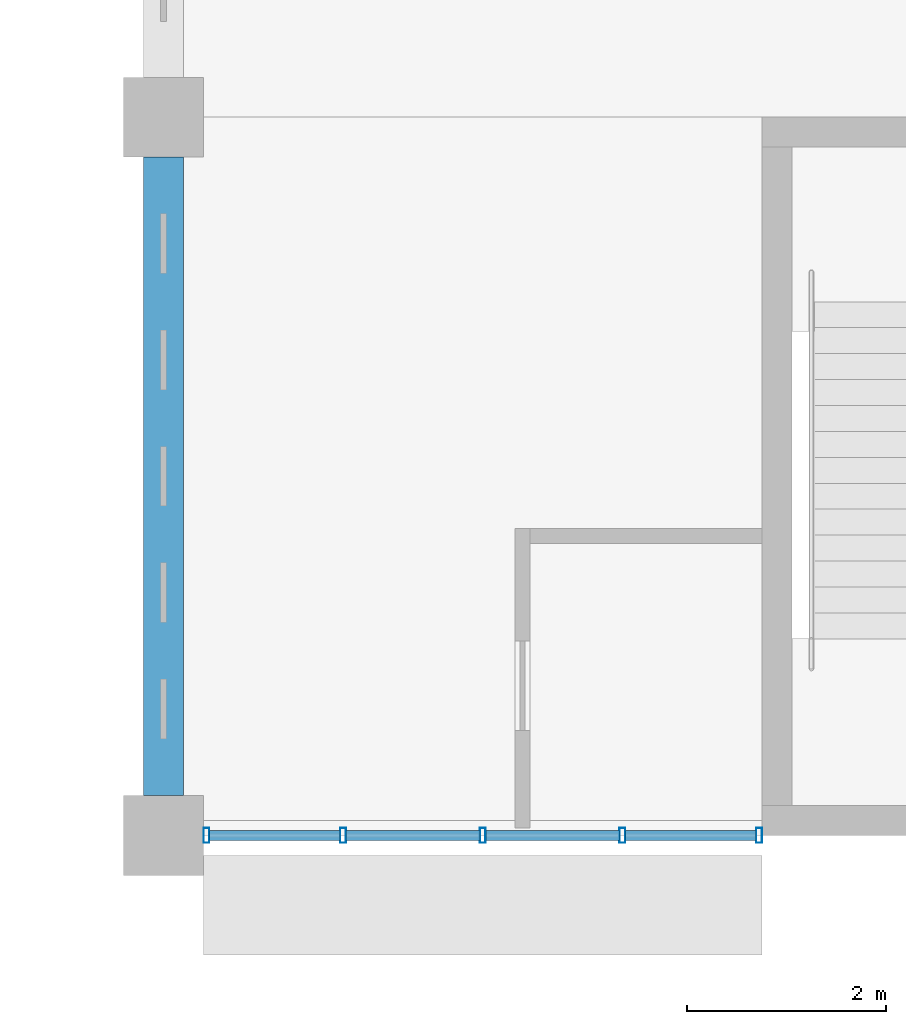
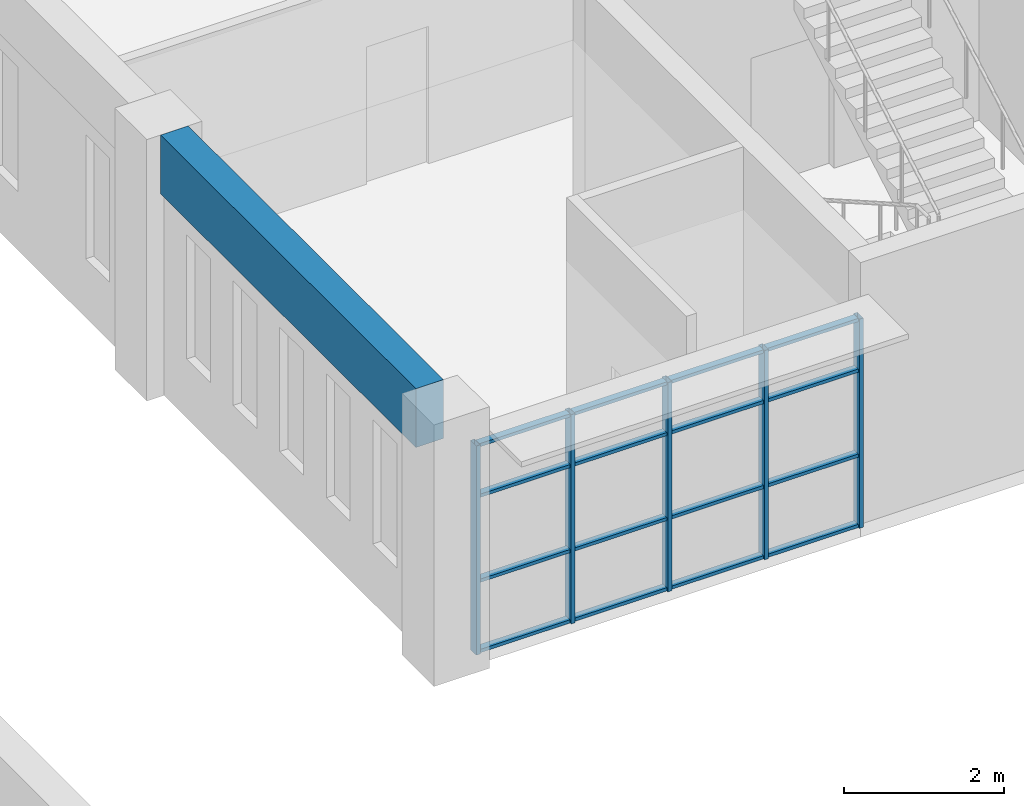
# One storey, part 8 of 47: 21 members, 1 beam, 1 element without a shape of its own.
"""IFC4 building model written with IfcOpenShell, lengths in metres."""

from ifc_helpers import new_model, si_unit, direction, frame, origin, origin_2d, place, context, subcontext, project, spatial, rectangle, hollow_rectangle, extrude, material, material_profile, profile_set, type_object, element, aggregate, save


model = new_model("IFC4")

# Units and contexts
model_context = context("Model", 3, precision=1e-05, world=origin(), true_north=direction((0.0, 1.0)))
body_context = subcontext(model_context, "Body", "Model", "MODEL_VIEW")
ifc_project = project(units=[si_unit("LENGTHUNIT", "METRE"), si_unit("AREAUNIT", "SQUARE_METRE"), si_unit("VOLUMEUNIT", "CUBIC_METRE"), si_unit("PLANEANGLEUNIT", "RADIAN"), si_unit("MASSUNIT", "GRAM", prefix="KILO")], contexts=[model_context])

# Site, building, storey
site_placement = place(None, origin())
site = spatial("IfcSite", under=ifc_project, at=site_placement, CompositionType="ELEMENT")
building_placement = place(site_placement, origin())
building = spatial("IfcBuilding", under=site, at=building_placement, Name="Laocheng Heights Fire and Rescue Headquarters", CompositionType="ELEMENT")
storey_placement = place(building_placement, frame((0.0, 0.0, 16.800048828125)))
storey = spatial("IfcBuildingStorey", under=building, at=storey_placement, Name="L04", CompositionType="ELEMENT", Elevation=16.800048828125)

# Curtain wall, members
ifc_material_1 = material(Name="Dark anodised aluminium unitised curtain wall, low-e double glazing", Category="aluminium")
curtain_wall_type = type_object("IfcCurtainWallType", Name="CW 5600 x 3200 HQ SOUTH RIBBON", PredefinedType="NOTDEFINED", material=ifc_material_1)
curtain_wall_placement = place(storey_placement, origin())
curtain_wall = element("IfcCurtainWall", 1, at=curtain_wall_placement, inside=storey, type_object=curtain_wall_type, Name="X11-X HQ SOUTH L04", PredefinedType="NOTDEFINED")
ifc_material_2 = material(Name="Dark anodised aluminium 6063-T5 extrusion", Category="aluminium")
ifc_material_profile_1 = material_profile(ifc_material_2, hollow_rectangle(XDim=0.14990234375, YDim=0.06005859375, WallThickness=0.0029296875, at=origin_2d()), Name="AL MULLION 150x60x3 HQ SOUTH RIBBON")
ifc_profile_set_1 = profile_set([ifc_material_profile_1], Name="Dark anodised aluminium 6063-T5 extrusion")
member_type_1 = type_object("IfcMemberType", Name="AL MULLION 150x60x3 HQ SOUTH RIBBON", PredefinedType="MULLION", material=ifc_profile_set_1)
member_1_placement = place(storey_placement, frame((36.429931640625, 50.39990234375, 0.0), z_axis=(0.0, 0.0, 1.0), x_axis=(0.0, 1.0, 0.0)))
member_1 = element("IfcMember", 2, at=member_1_placement, type_object=member_type_1, Name="X11-X mullion 1", PredefinedType="MULLION", context=body_context, shape_type="SweptSolid", body=[
    extrude(hollow_rectangle(XDim=0.14990234375, YDim=0.06005859375, WallThickness=0.0029296875, at=origin_2d()), origin(), (0.0, 0.0, 1.0), 3.199951171875),
])
member_2_placement = place(storey_placement, frame((37.800048828125, 50.39990234375, 0.0), z_axis=(0.0, 0.0, 1.0), x_axis=(0.0, 1.0, 0.0)))
member_2 = element("IfcMember", 3, at=member_2_placement, type_object=member_type_1, Name="X11-X mullion 2", PredefinedType="MULLION", context=body_context, shape_type="SweptSolid", body=[
    extrude(hollow_rectangle(XDim=0.14990234375, YDim=0.06005859375, WallThickness=0.0029296875, at=origin_2d()), origin(), (0.0, 0.0, 1.0), 3.199951171875),
])
member_3_placement = place(storey_placement, frame((39.199951171875, 50.39990234375, 0.0), z_axis=(0.0, 0.0, 1.0), x_axis=(0.0, 1.0, 0.0)))
member_3 = element("IfcMember", 4, at=member_3_placement, type_object=member_type_1, Name="X11-X mullion 3", PredefinedType="MULLION", context=body_context, shape_type="SweptSolid", body=[
    extrude(hollow_rectangle(XDim=0.14990234375, YDim=0.06005859375, WallThickness=0.0029296875, at=origin_2d()), origin(), (0.0, 0.0, 1.0), 3.199951171875),
])
member_4_placement = place(storey_placement, frame((40.60009765625, 50.39990234375, 0.0), z_axis=(0.0, 0.0, 1.0), x_axis=(0.0, 1.0, 0.0)))
member_4 = element("IfcMember", 5, at=member_4_placement, type_object=member_type_1, Name="X11-X mullion 4", PredefinedType="MULLION", context=body_context, shape_type="SweptSolid", body=[
    extrude(hollow_rectangle(XDim=0.14990234375, YDim=0.06005859375, WallThickness=0.0029296875, at=origin_2d()), origin(), (0.0, 0.0, 1.0), 3.199951171875),
])
member_5_placement = place(storey_placement, frame((41.969970703125, 50.39990234375, 0.0), z_axis=(0.0, 0.0, 1.0), x_axis=(0.0, 1.0, 0.0)))
member_5 = element("IfcMember", 6, at=member_5_placement, type_object=member_type_1, Name="X11-X mullion 5", PredefinedType="MULLION", context=body_context, shape_type="SweptSolid", body=[
    extrude(hollow_rectangle(XDim=0.14990234375, YDim=0.06005859375, WallThickness=0.0029296875, at=origin_2d()), origin(), (0.0, 0.0, 1.0), 3.199951171875),
])
ifc_material_3 = material(Name="Dark anodised aluminium 6063-T5 extrusion", Category="aluminium")
ifc_material_profile_2 = material_profile(ifc_material_3, hollow_rectangle(XDim=0.10009765625, YDim=0.050048828125, WallThickness=0.0029296875, at=origin_2d()), Name="AL TRANSOM 100x50x3 HQ SOUTH RIBBON")
ifc_profile_set_2 = profile_set([ifc_material_profile_2], Name="Dark anodised aluminium 6063-T5 extrusion")
member_type_2 = type_object("IfcMemberType", Name="AL TRANSOM 100x50x3 HQ SOUTH RIBBON", PredefinedType="USERDEFINED", material=ifc_profile_set_2)
member_6_placement = place(storey_placement, frame((36.4599609375, 50.39990234375, 0.02490234375), z_axis=(1.0, 0.0, 0.0), x_axis=(0.0, 1.0, 0.0)))
member_6 = element("IfcMember", 7, at=member_6_placement, type_object=member_type_2, Name="X11-X transom 1.1", ObjectType="TRANSOM", PredefinedType="USERDEFINED", context=body_context, shape_type="SweptSolid", body=[
    extrude(hollow_rectangle(XDim=0.10009765625, YDim=0.050048828125, WallThickness=0.0029296875, at=origin_2d()), origin(), (0.0, 0.0, 1.0), 1.31005859375),
])
member_7_placement = place(storey_placement, frame((36.4599609375, 50.39990234375, 1.099853515625), z_axis=(1.0, 0.0, 0.0), x_axis=(0.0, 1.0, 0.0)))
member_7 = element("IfcMember", 8, at=member_7_placement, type_object=member_type_2, Name="X11-X transom 1.2", ObjectType="TRANSOM", PredefinedType="USERDEFINED", context=body_context, shape_type="SweptSolid", body=[
    extrude(hollow_rectangle(XDim=0.10009765625, YDim=0.050048828125, WallThickness=0.0029296875, at=origin_2d()), origin(), (0.0, 0.0, 1.0), 1.31005859375),
])
member_8_placement = place(storey_placement, frame((36.4599609375, 50.39990234375, 2.39990234375), z_axis=(1.0, 0.0, 0.0), x_axis=(0.0, 1.0, 0.0)))
member_8 = element("IfcMember", 9, at=member_8_placement, type_object=member_type_2, Name="X11-X transom 1.3", ObjectType="TRANSOM", PredefinedType="USERDEFINED", context=body_context, shape_type="SweptSolid", body=[
    extrude(hollow_rectangle(XDim=0.10009765625, YDim=0.050048828125, WallThickness=0.0029296875, at=origin_2d()), origin(), (0.0, 0.0, 1.0), 1.31005859375),
])
member_9_placement = place(storey_placement, frame((36.4599609375, 50.39990234375, 3.175048828125), z_axis=(1.0, 0.0, 0.0), x_axis=(0.0, 1.0, 0.0)))
member_9 = element("IfcMember", 10, at=member_9_placement, type_object=member_type_2, Name="X11-X transom 1.4", ObjectType="TRANSOM", PredefinedType="USERDEFINED", context=body_context, shape_type="SweptSolid", body=[
    extrude(hollow_rectangle(XDim=0.10009765625, YDim=0.050048828125, WallThickness=0.0029296875, at=origin_2d()), origin(), (0.0, 0.0, 1.0), 1.31005859375),
])
member_10_placement = place(storey_placement, frame((37.830078125, 50.39990234375, 0.02490234375), z_axis=(1.0, 0.0, 0.0), x_axis=(0.0, 1.0, 0.0)))
member_10 = element("IfcMember", 11, at=member_10_placement, type_object=member_type_2, Name="X11-X transom 2.1", ObjectType="TRANSOM", PredefinedType="USERDEFINED", context=body_context, shape_type="SweptSolid", body=[
    extrude(hollow_rectangle(XDim=0.10009765625, YDim=0.050048828125, WallThickness=0.0029296875, at=origin_2d()), origin(), (0.0, 0.0, 1.0), 1.33984375),
])
member_11_placement = place(storey_placement, frame((37.830078125, 50.39990234375, 1.099853515625), z_axis=(1.0, 0.0, 0.0), x_axis=(0.0, 1.0, 0.0)))
member_11 = element("IfcMember", 12, at=member_11_placement, type_object=member_type_2, Name="X11-X transom 2.2", ObjectType="TRANSOM", PredefinedType="USERDEFINED", context=body_context, shape_type="SweptSolid", body=[
    extrude(hollow_rectangle(XDim=0.10009765625, YDim=0.050048828125, WallThickness=0.0029296875, at=origin_2d()), origin(), (0.0, 0.0, 1.0), 1.33984375),
])
member_12_placement = place(storey_placement, frame((37.830078125, 50.39990234375, 2.39990234375), z_axis=(1.0, 0.0, 0.0), x_axis=(0.0, 1.0, 0.0)))
member_12 = element("IfcMember", 13, at=member_12_placement, type_object=member_type_2, Name="X11-X transom 2.3", ObjectType="TRANSOM", PredefinedType="USERDEFINED", context=body_context, shape_type="SweptSolid", body=[
    extrude(hollow_rectangle(XDim=0.10009765625, YDim=0.050048828125, WallThickness=0.0029296875, at=origin_2d()), origin(), (0.0, 0.0, 1.0), 1.33984375),
])
member_13_placement = place(storey_placement, frame((37.830078125, 50.39990234375, 3.175048828125), z_axis=(1.0, 0.0, 0.0), x_axis=(0.0, 1.0, 0.0)))
member_13 = element("IfcMember", 14, at=member_13_placement, type_object=member_type_2, Name="X11-X transom 2.4", ObjectType="TRANSOM", PredefinedType="USERDEFINED", context=body_context, shape_type="SweptSolid", body=[
    extrude(hollow_rectangle(XDim=0.10009765625, YDim=0.050048828125, WallThickness=0.0029296875, at=origin_2d()), origin(), (0.0, 0.0, 1.0), 1.33984375),
])
member_14_placement = place(storey_placement, frame((39.22998046875, 50.39990234375, 0.02490234375), z_axis=(1.0, 0.0, 0.0), x_axis=(0.0, 1.0, 0.0)))
member_14 = element("IfcMember", 15, at=member_14_placement, type_object=member_type_2, Name="X11-X transom 3.1", ObjectType="TRANSOM", PredefinedType="USERDEFINED", context=body_context, shape_type="SweptSolid", body=[
    extrude(hollow_rectangle(XDim=0.10009765625, YDim=0.050048828125, WallThickness=0.0029296875, at=origin_2d()), origin(), (0.0, 0.0, 1.0), 1.340087890625),
])
member_15_placement = place(storey_placement, frame((39.22998046875, 50.39990234375, 1.099853515625), z_axis=(1.0, 0.0, 0.0), x_axis=(0.0, 1.0, 0.0)))
member_15 = element("IfcMember", 16, at=member_15_placement, type_object=member_type_2, Name="X11-X transom 3.2", ObjectType="TRANSOM", PredefinedType="USERDEFINED", context=body_context, shape_type="SweptSolid", body=[
    extrude(hollow_rectangle(XDim=0.10009765625, YDim=0.050048828125, WallThickness=0.0029296875, at=origin_2d()), origin(), (0.0, 0.0, 1.0), 1.340087890625),
])
member_16_placement = place(storey_placement, frame((39.22998046875, 50.39990234375, 2.39990234375), z_axis=(1.0, 0.0, 0.0), x_axis=(0.0, 1.0, 0.0)))
member_16 = element("IfcMember", 17, at=member_16_placement, type_object=member_type_2, Name="X11-X transom 3.3", ObjectType="TRANSOM", PredefinedType="USERDEFINED", context=body_context, shape_type="SweptSolid", body=[
    extrude(hollow_rectangle(XDim=0.10009765625, YDim=0.050048828125, WallThickness=0.0029296875, at=origin_2d()), origin(), (0.0, 0.0, 1.0), 1.340087890625),
])
member_17_placement = place(storey_placement, frame((39.22998046875, 50.39990234375, 3.175048828125), z_axis=(1.0, 0.0, 0.0), x_axis=(0.0, 1.0, 0.0)))
member_17 = element("IfcMember", 18, at=member_17_placement, type_object=member_type_2, Name="X11-X transom 3.4", ObjectType="TRANSOM", PredefinedType="USERDEFINED", context=body_context, shape_type="SweptSolid", body=[
    extrude(hollow_rectangle(XDim=0.10009765625, YDim=0.050048828125, WallThickness=0.0029296875, at=origin_2d()), origin(), (0.0, 0.0, 1.0), 1.340087890625),
])
member_18_placement = place(storey_placement, frame((40.6298828125, 50.39990234375, 0.02490234375), z_axis=(1.0, 0.0, 0.0), x_axis=(0.0, 1.0, 0.0)))
member_18 = element("IfcMember", 19, at=member_18_placement, type_object=member_type_2, Name="X11-X transom 4.1", ObjectType="TRANSOM", PredefinedType="USERDEFINED", context=body_context, shape_type="SweptSolid", body=[
    extrude(hollow_rectangle(XDim=0.10009765625, YDim=0.050048828125, WallThickness=0.0029296875, at=origin_2d()), origin(), (0.0, 0.0, 1.0), 1.31005859375),
])
member_19_placement = place(storey_placement, frame((40.6298828125, 50.39990234375, 1.099853515625), z_axis=(1.0, 0.0, 0.0), x_axis=(0.0, 1.0, 0.0)))
member_19 = element("IfcMember", 20, at=member_19_placement, type_object=member_type_2, Name="X11-X transom 4.2", ObjectType="TRANSOM", PredefinedType="USERDEFINED", context=body_context, shape_type="SweptSolid", body=[
    extrude(hollow_rectangle(XDim=0.10009765625, YDim=0.050048828125, WallThickness=0.0029296875, at=origin_2d()), origin(), (0.0, 0.0, 1.0), 1.31005859375),
])
member_20_placement = place(storey_placement, frame((40.6298828125, 50.39990234375, 2.39990234375), z_axis=(1.0, 0.0, 0.0), x_axis=(0.0, 1.0, 0.0)))
member_20 = element("IfcMember", 21, at=member_20_placement, type_object=member_type_2, Name="X11-X transom 4.3", ObjectType="TRANSOM", PredefinedType="USERDEFINED", context=body_context, shape_type="SweptSolid", body=[
    extrude(hollow_rectangle(XDim=0.10009765625, YDim=0.050048828125, WallThickness=0.0029296875, at=origin_2d()), origin(), (0.0, 0.0, 1.0), 1.31005859375),
])
member_21_placement = place(storey_placement, frame((40.6298828125, 50.39990234375, 3.175048828125), z_axis=(1.0, 0.0, 0.0), x_axis=(0.0, 1.0, 0.0)))
member_21 = element("IfcMember", 22, at=member_21_placement, type_object=member_type_2, Name="X11-X transom 4.4", ObjectType="TRANSOM", PredefinedType="USERDEFINED", context=body_context, shape_type="SweptSolid", body=[
    extrude(hollow_rectangle(XDim=0.10009765625, YDim=0.050048828125, WallThickness=0.0029296875, at=origin_2d()), origin(), (0.0, 0.0, 1.0), 1.31005859375),
])
aggregate(curtain_wall, [member_1, member_2, member_3, member_4, member_5, member_6, member_7, member_8, member_9, member_10, member_11, member_12, member_13, member_14, member_15, member_16, member_17, member_18, member_19, member_20, member_21])

# Beam
ifc_material_4 = material(Name="Concrete C40", Category="concrete")
ifc_material_profile_3 = material_profile(ifc_material_4, rectangle(XDim=0.39990234375, YDim=0.89990234375, at=origin_2d()), Name="RC BEAM 400x900 HQ")
ifc_profile_set_3 = profile_set([ifc_material_profile_3], Name="Concrete C40")
beam_type = type_object("IfcBeamType", Name="RC BEAM 400x900 HQ", PredefinedType="BEAM", material=ifc_profile_set_3)
beam_placement = place(storey_placement, frame((36.0, 50.800048828125, 3.550048828125), z_axis=(0.0, 1.0, 0.0), x_axis=(-1.0, 0.0, 0.0)))
element("IfcBeam", 23, at=beam_placement, inside=storey, type_object=beam_type, Name="HQ beam L04", PredefinedType="BEAM", context=body_context, shape_type="SweptSolid", body=[
    extrude(rectangle(XDim=0.39990234375, YDim=0.89990234375, at=origin_2d()), origin(), (0.0, 0.0, 1.0), 6.39990234375),
])

save(model, "model.ifc")
